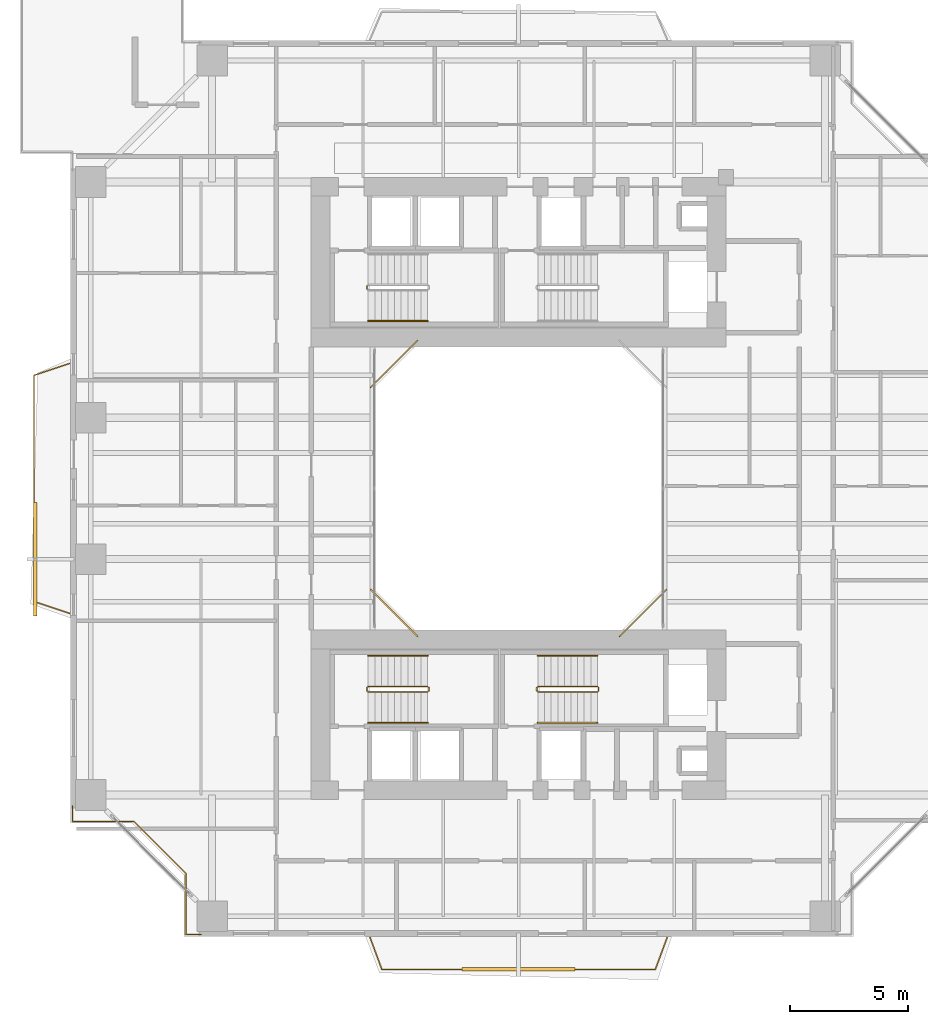
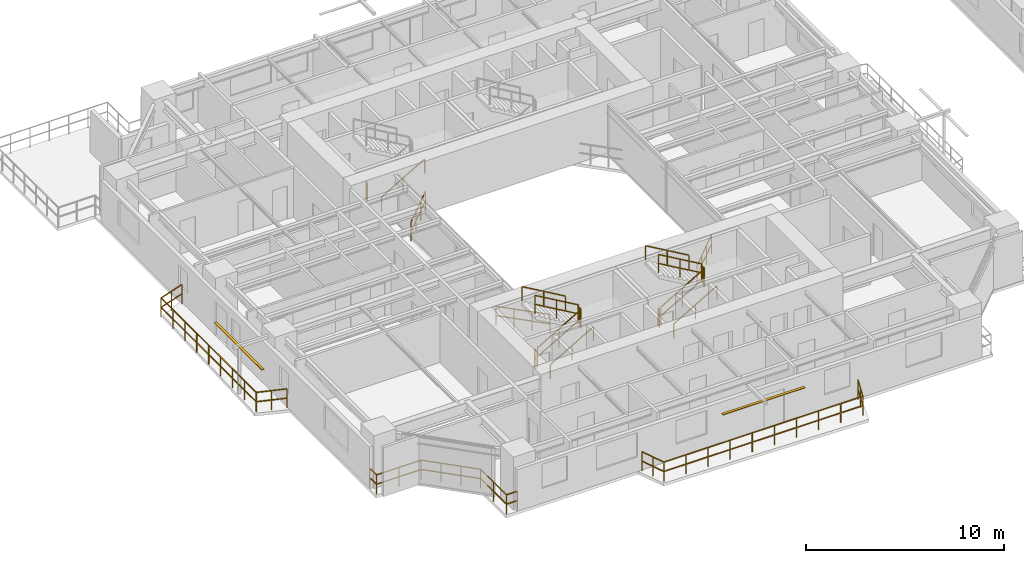
# One storey, part 20 of 24: 20 railings, 2 shading devices.
"""IFC4 building model written with IfcOpenShell, lengths in metres."""

from ifc_helpers import new_model, si_unit, direction, frame, origin, origin_2d, place, context, subcontext, project, spatial, rectangle, extrude, source, transform, mapped, material, material_profile, profile_set, type_object, element, save


model = new_model("IFC4")

# Units and contexts
model_context = context("Model", 3, precision=1e-05, world=origin(), true_north=direction((0.0, 1.0)))
body_context = subcontext(model_context, "Body", "Model", "MODEL_VIEW")
ifc_project = project(units=[si_unit("LENGTHUNIT", "METRE"), si_unit("AREAUNIT", "SQUARE_METRE"), si_unit("VOLUMEUNIT", "CUBIC_METRE"), si_unit("PLANEANGLEUNIT", "RADIAN"), si_unit("MASSUNIT", "GRAM", prefix="KILO"), si_unit("THERMODYNAMICTEMPERATUREUNIT", "KELVIN"), si_unit("POWERUNIT", "WATT")], contexts=[model_context])

# Site, building, storey
site_placement = place(None, origin())
site = spatial("IfcSite", under=ifc_project, at=site_placement, CompositionType="ELEMENT")
building_placement = place(site_placement, origin())
building = spatial("IfcBuilding", under=site, at=building_placement, Name="Qiaomeng Ring Towers", CompositionType="ELEMENT")
storey_placement = place(building_placement, frame((0.0, 0.0, 42.5)))
storey = spatial("IfcBuildingStorey", under=building, at=storey_placement, Name="L11", CompositionType="ELEMENT", Elevation=42.5)

# Railings
ifc_material_1 = material(Name="Low-E pale-green laminated safety glass", Category="glass")
railing_type_1 = type_object("IfcRailingType", Name="ARC-RL-BAL1", PredefinedType="BALUSTRADE", material=ifc_material_1)
railing_1_placement = place(storey_placement, frame((23.280029296875, 16.719970703125, 0.0)))
element("IfcRailing", 1, at=railing_1_placement, inside=storey, type_object=railing_type_1, Name="L11 Balustrade ARC-BAL-WELL1-L11-1", PredefinedType="BALUSTRADE", context=body_context, shape_type="SweptSolid", body=[
    extrude(rectangle(XDim=0.048095703125, YDim=0.048095703125, at=origin_2d()), frame((0.0, 0.0, 1.17578125), z_axis=(0.707106781187, 0.707106781187, 0.0), x_axis=(-0.707106781187, 0.707106781187, 0.0)), (0.0, 0.0, 1.0), 2.828369140625),
    extrude(rectangle(XDim=0.048095703125, YDim=0.048095703125, at=origin_2d()), frame((0.0, 0.0, 0.60009765625), z_axis=(0.707106781187, 0.707106781187, 0.0), x_axis=(-0.707106781187, 0.707106781187, 0.0)), (0.0, 0.0, 1.0), 2.828369140625),
    extrude(rectangle(XDim=0.0419921875, YDim=0.0419921875, at=origin_2d()), origin(), (0.0, 0.0, 1.0), 1.15185546875),
    extrude(rectangle(XDim=0.0419921875, YDim=0.0419921875, at=origin_2d()), frame((0.666748046875, 0.666748046875, 0.0)), (0.0, 0.0, 1.0), 1.15185546875),
    extrude(rectangle(XDim=0.0419921875, YDim=0.0419921875, at=origin_2d()), frame((1.333251953125, 1.333251953125, 0.0)), (0.0, 0.0, 1.0), 1.15185546875),
    extrude(rectangle(XDim=0.0419921875, YDim=0.0419921875, at=origin_2d()), frame((2.0, 2.0, 0.0)), (0.0, 0.0, 1.0), 1.15185546875),
])
railing_2_placement = place(storey_placement, frame((14.719970703125, 29.280029296875, 0.0)))
element("IfcRailing", 2, at=railing_2_placement, inside=storey, type_object=railing_type_1, Name="L11 Balustrade ARC-BAL-WELL1-L11-3", PredefinedType="BALUSTRADE", context=body_context, shape_type="SweptSolid", body=[
    extrude(rectangle(XDim=0.048095703125, YDim=0.048095703125, at=origin_2d()), frame((0.0, 0.0, 1.17578125), z_axis=(-0.707106781187, -0.707106781187, 0.0), x_axis=(0.707106781187, -0.707106781187, 0.0)), (0.0, 0.0, 1.0), 2.828369140625),
    extrude(rectangle(XDim=0.048095703125, YDim=0.048095703125, at=origin_2d()), frame((0.0, 0.0, 0.60009765625), z_axis=(-0.707106781187, -0.707106781187, 0.0), x_axis=(0.707106781187, -0.707106781187, 0.0)), (0.0, 0.0, 1.0), 2.828369140625),
    extrude(rectangle(XDim=0.0419921875, YDim=0.0419921875, at=origin_2d()), origin(), (0.0, 0.0, 1.0), 1.15185546875),
    extrude(rectangle(XDim=0.0419921875, YDim=0.0419921875, at=origin_2d()), frame((-0.666748046875, -0.666748046875, 0.0)), (0.0, 0.0, 1.0), 1.15185546875),
    extrude(rectangle(XDim=0.0419921875, YDim=0.0419921875, at=origin_2d()), frame((-1.333251953125, -1.333251953125, 0.0)), (0.0, 0.0, 1.0), 1.15185546875),
    extrude(rectangle(XDim=0.0419921875, YDim=0.0419921875, at=origin_2d()), frame((-2.0, -2.0, 0.0)), (0.0, 0.0, 1.0), 1.15185546875),
])
railing_3_placement = place(storey_placement, frame((12.719970703125, 18.719970703125, 0.0)))
element("IfcRailing", 3, at=railing_3_placement, inside=storey, type_object=railing_type_1, Name="L11 Balustrade ARC-BAL-WELL1-L11-4", PredefinedType="BALUSTRADE", context=body_context, shape_type="SweptSolid", body=[
    extrude(rectangle(XDim=0.048095703125, YDim=0.048095703125, at=origin_2d()), frame((0.0, 0.0, 1.17578125), z_axis=(0.707106781187, -0.707106781187, 0.0), x_axis=(0.707106781187, 0.707106781187, 0.0)), (0.0, 0.0, 1.0), 2.828369140625),
    extrude(rectangle(XDim=0.048095703125, YDim=0.048095703125, at=origin_2d()), frame((0.0, 0.0, 0.60009765625), z_axis=(0.707106781187, -0.707106781187, 0.0), x_axis=(0.707106781187, 0.707106781187, 0.0)), (0.0, 0.0, 1.0), 2.828369140625),
    extrude(rectangle(XDim=0.0419921875, YDim=0.0419921875, at=origin_2d()), origin(), (0.0, 0.0, 1.0), 1.15185546875),
    extrude(rectangle(XDim=0.0419921875, YDim=0.0419921875, at=origin_2d()), frame((0.666748046875, -0.666748046875, 0.0)), (0.0, 0.0, 1.0), 1.15185546875),
    extrude(rectangle(XDim=0.0419921875, YDim=0.0419921875, at=origin_2d()), frame((1.333251953125, -1.333251953125, 0.0)), (0.0, 0.0, 1.0), 1.15185546875),
    extrude(rectangle(XDim=0.0419921875, YDim=0.0419921875, at=origin_2d()), frame((2.0, -2.0, 0.0)), (0.0, 0.0, 1.0), 1.15185546875),
])
railing_4_placement = place(storey_placement, frame((0.080078125, 9.530029296875, 0.0)))
element("IfcRailing", 4, at=railing_4_placement, inside=storey, type_object=railing_type_1, Name="L11 Balustrade ARC-BAL-NOTCH1-L11-SW", PredefinedType="BALUSTRADE", context=body_context, shape_type="SweptSolid", body=[
    extrude(rectangle(XDim=0.048095703125, YDim=0.048095703125, at=origin_2d()), frame((0.0, 0.0, 1.17578125), z_axis=(0.0, -1.0, 0.0), x_axis=(1.0, 0.0, 0.0)), (0.0, 0.0, 1.0), 0.650146484375),
    extrude(rectangle(XDim=0.048095703125, YDim=0.048095703125, at=origin_2d()), frame((0.0, 0.0, 0.60009765625), z_axis=(0.0, -1.0, 0.0), x_axis=(1.0, 0.0, 0.0)), (0.0, 0.0, 1.0), 0.650146484375),
    extrude(rectangle(XDim=0.048095703125, YDim=0.048095703125, at=origin_2d()), frame((0.0, -0.650146484375, 1.17578125), z_axis=(1.0, 0.0, 0.0), x_axis=(0.0, 1.0, 0.0)), (0.0, 0.0, 1.0), 2.599853515625),
    extrude(rectangle(XDim=0.048095703125, YDim=0.048095703125, at=origin_2d()), frame((0.0, -0.650146484375, 0.60009765625), z_axis=(1.0, 0.0, 0.0), x_axis=(0.0, 1.0, 0.0)), (0.0, 0.0, 1.0), 2.599853515625),
    extrude(rectangle(XDim=0.048095703125, YDim=0.048095703125, at=origin_2d()), frame((2.599853515625, -0.650146484375, 1.17578125), z_axis=(0.707106781187, -0.707106781187, 0.0), x_axis=(0.707106781187, 0.707106781187, 0.0)), (0.0, 0.0, 1.0), 3.111083984375),
    extrude(rectangle(XDim=0.048095703125, YDim=0.048095703125, at=origin_2d()), frame((2.599853515625, -0.650146484375, 0.60009765625), z_axis=(0.707106781187, -0.707106781187, 0.0), x_axis=(0.707106781187, 0.707106781187, 0.0)), (0.0, 0.0, 1.0), 3.111083984375),
    extrude(rectangle(XDim=0.048095703125, YDim=0.048095703125, at=origin_2d()), frame((4.7998046875, -2.85009765625, 1.17578125), z_axis=(0.0, -1.0, 0.0), x_axis=(1.0, 0.0, 0.0)), (0.0, 0.0, 1.0), 2.599853515625),
    extrude(rectangle(XDim=0.048095703125, YDim=0.048095703125, at=origin_2d()), frame((4.7998046875, -2.85009765625, 0.60009765625), z_axis=(0.0, -1.0, 0.0), x_axis=(1.0, 0.0, 0.0)), (0.0, 0.0, 1.0), 2.599853515625),
    extrude(rectangle(XDim=0.048095703125, YDim=0.048095703125, at=origin_2d()), frame((4.7998046875, -5.449951171875, 1.17578125), z_axis=(1.0, 0.0, 0.0), x_axis=(0.0, 1.0, 0.0)), (0.0, 0.0, 1.0), 0.650146484375),
    extrude(rectangle(XDim=0.048095703125, YDim=0.048095703125, at=origin_2d()), frame((4.7998046875, -5.449951171875, 0.60009765625), z_axis=(1.0, 0.0, 0.0), x_axis=(0.0, 1.0, 0.0)), (0.0, 0.0, 1.0), 0.650146484375),
    extrude(rectangle(XDim=0.0419921875, YDim=0.0419921875, at=origin_2d()), origin(), (0.0, 0.0, 1.0), 1.15185546875),
    extrude(rectangle(XDim=0.0419921875, YDim=0.0419921875, at=origin_2d()), frame((0.0, -0.650146484375, 0.0)), (0.0, 0.0, 1.0), 1.15185546875),
    extrude(rectangle(XDim=0.0419921875, YDim=0.0419921875, at=origin_2d()), frame((1.2998046875, -0.650146484375, 0.0)), (0.0, 0.0, 1.0), 1.15185546875),
    extrude(rectangle(XDim=0.0419921875, YDim=0.0419921875, at=origin_2d()), frame((2.599853515625, -0.650146484375, 0.0)), (0.0, 0.0, 1.0), 1.15185546875),
    extrude(rectangle(XDim=0.0419921875, YDim=0.0419921875, at=origin_2d()), frame((3.333251953125, -1.383544921875, 0.0)), (0.0, 0.0, 1.0), 1.15185546875),
    extrude(rectangle(XDim=0.0419921875, YDim=0.0419921875, at=origin_2d()), frame((4.06640625, -2.11669921875, 0.0)), (0.0, 0.0, 1.0), 1.15185546875),
    extrude(rectangle(XDim=0.0419921875, YDim=0.0419921875, at=origin_2d()), frame((4.7998046875, -2.85009765625, 0.0)), (0.0, 0.0, 1.0), 1.15185546875),
    extrude(rectangle(XDim=0.0419921875, YDim=0.0419921875, at=origin_2d()), frame((4.7998046875, -4.14990234375, 0.0)), (0.0, 0.0, 1.0), 1.15185546875),
    extrude(rectangle(XDim=0.0419921875, YDim=0.0419921875, at=origin_2d()), frame((4.7998046875, -5.449951171875, 0.0)), (0.0, 0.0, 1.0), 1.15185546875),
    extrude(rectangle(XDim=0.0419921875, YDim=0.0419921875, at=origin_2d()), frame((5.449951171875, -5.449951171875, 0.0)), (0.0, 0.0, 1.0), 1.15185546875),
])
railing_5_placement = place(storey_placement, frame((12.699951171875, 3.949951171875, 0.0)))
element("IfcRailing", 5, at=railing_5_placement, inside=storey, type_object=railing_type_1, Name="L11 Balustrade ARC-BAL-L11-T1-S", PredefinedType="BALUSTRADE", context=body_context, shape_type="SweptSolid", body=[
    extrude(rectangle(XDim=0.048095703125, YDim=0.048095703125, at=origin_2d()), frame((0.0, 0.0, 1.17578125), z_axis=(0.347347498827, -0.937736484871, 0.0), x_axis=(0.937736484871, 0.347347498827, 0.0)), (0.0, 0.0, 1.0), 1.439453125),
    extrude(rectangle(XDim=0.048095703125, YDim=0.048095703125, at=origin_2d()), frame((0.0, 0.0, 0.60009765625), z_axis=(0.347347498827, -0.937736484871, 0.0), x_axis=(0.937736484871, 0.347347498827, 0.0)), (0.0, 0.0, 1.0), 1.439453125),
    extrude(rectangle(XDim=0.048095703125, YDim=0.048095703125, at=origin_2d()), frame((0.5, -1.349853515625, 1.17578125), z_axis=(1.0, 0.0, 0.0), x_axis=(0.0, 1.0, 0.0)), (0.0, 0.0, 1.0), 11.60009765625),
    extrude(rectangle(XDim=0.048095703125, YDim=0.048095703125, at=origin_2d()), frame((0.5, -1.349853515625, 0.60009765625), z_axis=(1.0, 0.0, 0.0), x_axis=(0.0, 1.0, 0.0)), (0.0, 0.0, 1.0), 11.60009765625),
    extrude(rectangle(XDim=0.048095703125, YDim=0.048095703125, at=origin_2d()), frame((12.10009765625, -1.349853515625, 1.17578125), z_axis=(0.347347498827, 0.937736484871, 0.0), x_axis=(-0.937736484871, 0.347347498827, 0.0)), (0.0, 0.0, 1.0), 1.439453125),
    extrude(rectangle(XDim=0.048095703125, YDim=0.048095703125, at=origin_2d()), frame((12.10009765625, -1.349853515625, 0.60009765625), z_axis=(0.347347498827, 0.937736484871, 0.0), x_axis=(-0.937736484871, 0.347347498827, 0.0)), (0.0, 0.0, 1.0), 1.439453125),
    extrude(rectangle(XDim=0.0419921875, YDim=0.0419921875, at=origin_2d()), origin(), (0.0, 0.0, 1.0), 1.15185546875),
    extrude(rectangle(XDim=0.0419921875, YDim=0.0419921875, at=origin_2d()), frame((0.25, -0.6748046875, 0.0)), (0.0, 0.0, 1.0), 1.15185546875),
    extrude(rectangle(XDim=0.0419921875, YDim=0.0419921875, at=origin_2d()), frame((0.5, -1.349853515625, 0.0)), (0.0, 0.0, 1.0), 1.15185546875),
    extrude(rectangle(XDim=0.0419921875, YDim=0.0419921875, at=origin_2d()), frame((1.788818359375, -1.349853515625, 0.0)), (0.0, 0.0, 1.0), 1.15185546875),
    extrude(rectangle(XDim=0.0419921875, YDim=0.0419921875, at=origin_2d()), frame((3.077880859375, -1.349853515625, 0.0)), (0.0, 0.0, 1.0), 1.15185546875),
    extrude(rectangle(XDim=0.0419921875, YDim=0.0419921875, at=origin_2d()), frame((4.36669921875, -1.349853515625, 0.0)), (0.0, 0.0, 1.0), 1.15185546875),
    extrude(rectangle(XDim=0.0419921875, YDim=0.0419921875, at=origin_2d()), frame((5.655517578125, -1.349853515625, 0.0)), (0.0, 0.0, 1.0), 1.15185546875),
    extrude(rectangle(XDim=0.0419921875, YDim=0.0419921875, at=origin_2d()), frame((6.944580078125, -1.349853515625, 0.0)), (0.0, 0.0, 1.0), 1.15185546875),
    extrude(rectangle(XDim=0.0419921875, YDim=0.0419921875, at=origin_2d()), frame((8.2333984375, -1.349853515625, 0.0)), (0.0, 0.0, 1.0), 1.15185546875),
    extrude(rectangle(XDim=0.0419921875, YDim=0.0419921875, at=origin_2d()), frame((9.522216796875, -1.349853515625, 0.0)), (0.0, 0.0, 1.0), 1.15185546875),
    extrude(rectangle(XDim=0.0419921875, YDim=0.0419921875, at=origin_2d()), frame((10.811279296875, -1.349853515625, 0.0)), (0.0, 0.0, 1.0), 1.15185546875),
    extrude(rectangle(XDim=0.0419921875, YDim=0.0419921875, at=origin_2d()), frame((12.10009765625, -1.349853515625, 0.0)), (0.0, 0.0, 1.0), 1.15185546875),
    extrude(rectangle(XDim=0.0419921875, YDim=0.0419921875, at=origin_2d()), frame((12.35009765625, -0.6748046875, 0.0)), (0.0, 0.0, 1.0), 1.15185546875),
    extrude(rectangle(XDim=0.0419921875, YDim=0.0419921875, at=origin_2d()), frame((12.60009765625, 0.0, 0.0)), (0.0, 0.0, 1.0), 1.15185546875),
])
railing_6_placement = place(storey_placement, frame((-0.050048828125, 17.699951171875, 0.0)))
element("IfcRailing", 6, at=railing_6_placement, inside=storey, type_object=railing_type_1, Name="L11 Balustrade ARC-BAL-L11-T1-W", PredefinedType="BALUSTRADE", context=body_context, shape_type="SweptSolid", body=[
    extrude(rectangle(XDim=0.048095703125, YDim=0.048095703125, at=origin_2d()), frame((0.0, 0.0, 1.17578125), z_axis=(-0.948683298051, 0.316227766017, 0.0), x_axis=(-0.316227766017, -0.948683298051, 0.0)), (0.0, 0.0, 1.0), 1.5810546875),
    extrude(rectangle(XDim=0.048095703125, YDim=0.048095703125, at=origin_2d()), frame((0.0, 0.0, 0.60009765625), z_axis=(-0.948683298051, 0.316227766017, 0.0), x_axis=(-0.316227766017, -0.948683298051, 0.0)), (0.0, 0.0, 1.0), 1.5810546875),
    extrude(rectangle(XDim=0.048095703125, YDim=0.048095703125, at=origin_2d()), frame((-1.5, 0.5, 1.17578125), z_axis=(0.0, 1.0, 0.0), x_axis=(-1.0, 0.0, 0.0)), (0.0, 0.0, 1.0), 9.60009765625),
    extrude(rectangle(XDim=0.048095703125, YDim=0.048095703125, at=origin_2d()), frame((-1.5, 0.5, 0.60009765625), z_axis=(0.0, 1.0, 0.0), x_axis=(-1.0, 0.0, 0.0)), (0.0, 0.0, 1.0), 9.60009765625),
    extrude(rectangle(XDim=0.048095703125, YDim=0.048095703125, at=origin_2d()), frame((-1.5, 10.10009765625, 1.17578125), z_axis=(0.948683298051, 0.316227766017, 0.0), x_axis=(-0.316227766017, 0.948683298051, 0.0)), (0.0, 0.0, 1.0), 1.5810546875),
    extrude(rectangle(XDim=0.048095703125, YDim=0.048095703125, at=origin_2d()), frame((-1.5, 10.10009765625, 0.60009765625), z_axis=(0.948683298051, 0.316227766017, 0.0), x_axis=(-0.316227766017, 0.948683298051, 0.0)), (0.0, 0.0, 1.0), 1.5810546875),
    extrude(rectangle(XDim=0.0419921875, YDim=0.0419921875, at=origin_2d()), origin(), (0.0, 0.0, 1.0), 1.15185546875),
    extrude(rectangle(XDim=0.0419921875, YDim=0.0419921875, at=origin_2d()), frame((-0.75, 0.25, 0.0)), (0.0, 0.0, 1.0), 1.15185546875),
    extrude(rectangle(XDim=0.0419921875, YDim=0.0419921875, at=origin_2d()), frame((-1.5, 0.5, 0.0)), (0.0, 0.0, 1.0), 1.15185546875),
    extrude(rectangle(XDim=0.0419921875, YDim=0.0419921875, at=origin_2d()), frame((-1.5, 1.699951171875, 0.0)), (0.0, 0.0, 1.0), 1.15185546875),
    extrude(rectangle(XDim=0.0419921875, YDim=0.0419921875, at=origin_2d()), frame((-1.5, 2.89990234375, 0.0)), (0.0, 0.0, 1.0), 1.15185546875),
    extrude(rectangle(XDim=0.0419921875, YDim=0.0419921875, at=origin_2d()), frame((-1.5, 4.10009765625, 0.0)), (0.0, 0.0, 1.0), 1.15185546875),
    extrude(rectangle(XDim=0.0419921875, YDim=0.0419921875, at=origin_2d()), frame((-1.5, 5.300048828125, 0.0)), (0.0, 0.0, 1.0), 1.15185546875),
    extrude(rectangle(XDim=0.0419921875, YDim=0.0419921875, at=origin_2d()), frame((-1.5, 6.5, 0.0)), (0.0, 0.0, 1.0), 1.15185546875),
    extrude(rectangle(XDim=0.0419921875, YDim=0.0419921875, at=origin_2d()), frame((-1.5, 7.7001953125, 0.0)), (0.0, 0.0, 1.0), 1.15185546875),
    extrude(rectangle(XDim=0.0419921875, YDim=0.0419921875, at=origin_2d()), frame((-1.5, 8.900146484375, 0.0)), (0.0, 0.0, 1.0), 1.15185546875),
    extrude(rectangle(XDim=0.0419921875, YDim=0.0419921875, at=origin_2d()), frame((-1.5, 10.10009765625, 0.0)), (0.0, 0.0, 1.0), 1.15185546875),
    extrude(rectangle(XDim=0.0419921875, YDim=0.0419921875, at=origin_2d()), frame((-0.75, 10.35009765625, 0.0)), (0.0, 0.0, 1.0), 1.15185546875),
    extrude(rectangle(XDim=0.0419921875, YDim=0.0419921875, at=origin_2d()), frame((0.0, 10.60009765625, 0.0)), (0.0, 0.0, 1.0), 1.15185546875),
])
ifc_material_2 = material(Name="Galvanised steel", Category="steel")
railing_type_2 = type_object("IfcRailingType", Name="ARC-RL-GUARD", PredefinedType="GUARDRAIL", material=ifc_material_2)
railing_7_placement = place(storey_placement, frame((12.570068359375, 31.449951171875, 0.0)))
element("IfcRailing", 7, at=railing_7_placement, inside=storey, type_object=railing_type_2, Name="L11 ST1 stair guard 4", PredefinedType="GUARDRAIL", context=body_context, shape_type="SweptSolid", body=[
    extrude(rectangle(XDim=0.048095703125, YDim=0.048095703125, at=origin_2d()), frame((0.0, 0.0, 1.1259765625), z_axis=(0.0, 1.0, 0.0), x_axis=(-1.0, 0.0, 0.0)), (0.0, 0.0, 1.0), 0.14013671875),
    extrude(rectangle(XDim=0.048095703125, YDim=0.048095703125, at=origin_2d()), frame((0.0, 0.0, 0.574951171875), z_axis=(0.0, 1.0, 0.0), x_axis=(-1.0, 0.0, 0.0)), (0.0, 0.0, 1.0), 0.14013671875),
    extrude(rectangle(XDim=0.0419921875, YDim=0.0419921875, at=origin_2d()), origin(), (0.0, 0.0, 1.0), 1.101806640625),
    extrude(rectangle(XDim=0.0419921875, YDim=0.0419921875, at=origin_2d()), frame((0.0, 0.14013671875, 0.0)), (0.0, 0.0, 1.0), 1.101806640625),
])
railing_8_placement = place(storey_placement, frame((12.6201171875, 14.360107421875, 0.16259765625)))
element("IfcRailing", 8, at=railing_8_placement, inside=storey, type_object=railing_type_2, Name="L11 ST3 stair guard 1", PredefinedType="GUARDRAIL", context=body_context, shape_type="SweptSolid", body=[
    extrude(rectangle(XDim=0.048095703125, YDim=0.048095703125, at=origin_2d()), frame((0.0, 0.0, 1.1259765625), z_axis=(0.864892226395, 0.0, 0.501957604506), x_axis=(0.0, 1.0, 0.0)), (0.0, 0.0, 1.0), 2.913330078125),
    extrude(rectangle(XDim=0.048095703125, YDim=0.048095703125, at=origin_2d()), frame((0.0, 0.0, 0.574951171875), z_axis=(0.864892226395, 0.0, 0.501957604506), x_axis=(0.0, 1.0, 0.0)), (0.0, 0.0, 1.0), 2.913330078125),
    extrude(rectangle(XDim=0.0419921875, YDim=0.0419921875, at=origin_2d()), origin(), (0.0, 0.0, 1.0), 1.101806640625),
    extrude(rectangle(XDim=0.0419921875, YDim=0.0419921875, at=origin_2d()), frame((1.259765625, 0.0, 0.731201171875)), (0.0, 0.0, 1.0), 1.101806640625),
    extrude(rectangle(XDim=0.0419921875, YDim=0.0419921875, at=origin_2d()), frame((2.519775390625, 0.0, 1.46240234375)), (0.0, 0.0, 1.0), 1.101806640625),
])
railing_9_placement = place(storey_placement, frame((15.18994140625, 14.409912109375, 1.625)))
element("IfcRailing", 9, at=railing_9_placement, inside=storey, type_object=railing_type_2, Name="L11 ST3 stair guard 2", PredefinedType="GUARDRAIL", context=body_context, shape_type="SweptSolid", body=[
    extrude(rectangle(XDim=0.048095703125, YDim=0.048095703125, at=origin_2d()), frame((0.0, 0.0, 1.1259765625), z_axis=(0.0, 1.0, 0.0), x_axis=(-1.0, 0.0, 0.0)), (0.0, 0.0, 1.0), 0.14013671875),
    extrude(rectangle(XDim=0.048095703125, YDim=0.048095703125, at=origin_2d()), frame((0.0, 0.0, 0.574951171875), z_axis=(0.0, 1.0, 0.0), x_axis=(-1.0, 0.0, 0.0)), (0.0, 0.0, 1.0), 0.14013671875),
    extrude(rectangle(XDim=0.0419921875, YDim=0.0419921875, at=origin_2d()), origin(), (0.0, 0.0, 1.0), 1.101806640625),
    extrude(rectangle(XDim=0.0419921875, YDim=0.0419921875, at=origin_2d()), frame((0.0, 0.14013671875, 0.0)), (0.0, 0.0, 1.0), 1.101806640625),
])
railing_10_placement = place(storey_placement, frame((15.139892578125, 14.60009765625, 1.78759765625)))
element("IfcRailing", 10, at=railing_10_placement, inside=storey, type_object=railing_type_2, Name="L11 ST3 stair guard 3", PredefinedType="GUARDRAIL", context=body_context, shape_type="SweptSolid", body=[
    extrude(rectangle(XDim=0.048095703125, YDim=0.048095703125, at=origin_2d()), frame((0.0, 0.0, 1.1259765625), z_axis=(-0.864892226395, 0.0, 0.501957604506), x_axis=(0.0, -1.0, 0.0)), (0.0, 0.0, 1.0), 2.913330078125),
    extrude(rectangle(XDim=0.048095703125, YDim=0.048095703125, at=origin_2d()), frame((0.0, 0.0, 0.574951171875), z_axis=(-0.864892226395, 0.0, 0.501957604506), x_axis=(0.0, -1.0, 0.0)), (0.0, 0.0, 1.0), 2.913330078125),
    extrude(rectangle(XDim=0.0419921875, YDim=0.0419921875, at=origin_2d()), origin(), (0.0, 0.0, 1.0), 1.101806640625),
    extrude(rectangle(XDim=0.0419921875, YDim=0.0419921875, at=origin_2d()), frame((-1.259765625, 0.0, 0.731201171875)), (0.0, 0.0, 1.0), 1.101806640625),
    extrude(rectangle(XDim=0.0419921875, YDim=0.0419921875, at=origin_2d()), frame((-2.519775390625, 0.0, 1.46240234375)), (0.0, 0.0, 1.0), 1.101806640625),
])
railing_11_placement = place(storey_placement, frame((12.570068359375, 14.409912109375, 0.0)))
element("IfcRailing", 11, at=railing_11_placement, inside=storey, type_object=railing_type_2, Name="L11 ST3 stair guard 4", PredefinedType="GUARDRAIL", context=body_context, shape_type="SweptSolid", body=[
    extrude(rectangle(XDim=0.048095703125, YDim=0.048095703125, at=origin_2d()), frame((0.0, 0.0, 1.1259765625), z_axis=(0.0, 1.0, 0.0), x_axis=(-1.0, 0.0, 0.0)), (0.0, 0.0, 1.0), 0.14013671875),
    extrude(rectangle(XDim=0.048095703125, YDim=0.048095703125, at=origin_2d()), frame((0.0, 0.0, 0.574951171875), z_axis=(0.0, 1.0, 0.0), x_axis=(-1.0, 0.0, 0.0)), (0.0, 0.0, 1.0), 0.14013671875),
    extrude(rectangle(XDim=0.0419921875, YDim=0.0419921875, at=origin_2d()), origin(), (0.0, 0.0, 1.0), 1.101806640625),
    extrude(rectangle(XDim=0.0419921875, YDim=0.0419921875, at=origin_2d()), frame((0.0, 0.14013671875, 0.0)), (0.0, 0.0, 1.0), 1.101806640625),
])
railing_12_placement = place(storey_placement, frame((19.820068359375, 14.360107421875, 0.16259765625)))
element("IfcRailing", 12, at=railing_12_placement, inside=storey, type_object=railing_type_2, Name="L11 ST4 stair guard 1", PredefinedType="GUARDRAIL", context=body_context, shape_type="SweptSolid", body=[
    extrude(rectangle(XDim=0.048095703125, YDim=0.048095703125, at=origin_2d()), frame((0.0, 0.0, 1.1259765625), z_axis=(0.864913338283, 0.0, 0.50192122615), x_axis=(0.0, 1.0, 0.0)), (0.0, 0.0, 1.0), 2.91357421875),
    extrude(rectangle(XDim=0.048095703125, YDim=0.048095703125, at=origin_2d()), frame((0.0, 0.0, 0.574951171875), z_axis=(0.864913338283, 0.0, 0.50192122615), x_axis=(0.0, 1.0, 0.0)), (0.0, 0.0, 1.0), 2.91357421875),
    extrude(rectangle(XDim=0.0419921875, YDim=0.0419921875, at=origin_2d()), origin(), (0.0, 0.0, 1.0), 1.101806640625),
    extrude(rectangle(XDim=0.0419921875, YDim=0.0419921875, at=origin_2d()), frame((1.260009765625, 0.0, 0.731201171875)), (0.0, 0.0, 1.0), 1.101806640625),
    extrude(rectangle(XDim=0.0419921875, YDim=0.0419921875, at=origin_2d()), frame((2.52001953125, 0.0, 1.46240234375)), (0.0, 0.0, 1.0), 1.101806640625),
])
railing_13_placement = place(storey_placement, frame((22.389892578125, 14.409912109375, 1.625)))
element("IfcRailing", 13, at=railing_13_placement, inside=storey, type_object=railing_type_2, Name="L11 ST4 stair guard 2", PredefinedType="GUARDRAIL", context=body_context, shape_type="SweptSolid", body=[
    extrude(rectangle(XDim=0.048095703125, YDim=0.048095703125, at=origin_2d()), frame((0.0, 0.0, 1.1259765625), z_axis=(0.0, 1.0, 0.0), x_axis=(-1.0, 0.0, 0.0)), (0.0, 0.0, 1.0), 0.14013671875),
    extrude(rectangle(XDim=0.048095703125, YDim=0.048095703125, at=origin_2d()), frame((0.0, 0.0, 0.574951171875), z_axis=(0.0, 1.0, 0.0), x_axis=(-1.0, 0.0, 0.0)), (0.0, 0.0, 1.0), 0.14013671875),
    extrude(rectangle(XDim=0.0419921875, YDim=0.0419921875, at=origin_2d()), origin(), (0.0, 0.0, 1.0), 1.101806640625),
    extrude(rectangle(XDim=0.0419921875, YDim=0.0419921875, at=origin_2d()), frame((0.0, 0.14013671875, 0.0)), (0.0, 0.0, 1.0), 1.101806640625),
])
railing_14_placement = place(storey_placement, frame((22.340087890625, 14.60009765625, 1.78759765625)))
element("IfcRailing", 14, at=railing_14_placement, inside=storey, type_object=railing_type_2, Name="L11 ST4 stair guard 3", PredefinedType="GUARDRAIL", context=body_context, shape_type="SweptSolid", body=[
    extrude(rectangle(XDim=0.048095703125, YDim=0.048095703125, at=origin_2d()), frame((0.0, 0.0, 1.1259765625), z_axis=(-0.864913338283, 0.0, 0.50192122615), x_axis=(0.0, -1.0, 0.0)), (0.0, 0.0, 1.0), 2.91357421875),
    extrude(rectangle(XDim=0.048095703125, YDim=0.048095703125, at=origin_2d()), frame((0.0, 0.0, 0.574951171875), z_axis=(-0.864913338283, 0.0, 0.50192122615), x_axis=(0.0, -1.0, 0.0)), (0.0, 0.0, 1.0), 2.91357421875),
    extrude(rectangle(XDim=0.0419921875, YDim=0.0419921875, at=origin_2d()), origin(), (0.0, 0.0, 1.0), 1.101806640625),
    extrude(rectangle(XDim=0.0419921875, YDim=0.0419921875, at=origin_2d()), frame((-1.260009765625, 0.0, 0.731201171875)), (0.0, 0.0, 1.0), 1.101806640625),
    extrude(rectangle(XDim=0.0419921875, YDim=0.0419921875, at=origin_2d()), frame((-2.52001953125, 0.0, 1.46240234375)), (0.0, 0.0, 1.0), 1.101806640625),
])
railing_15_placement = place(storey_placement, frame((19.77001953125, 14.409912109375, 0.0)))
element("IfcRailing", 15, at=railing_15_placement, inside=storey, type_object=railing_type_2, Name="L11 ST4 stair guard 4", PredefinedType="GUARDRAIL", context=body_context, shape_type="SweptSolid", body=[
    extrude(rectangle(XDim=0.048095703125, YDim=0.048095703125, at=origin_2d()), frame((0.0, 0.0, 1.1259765625), z_axis=(0.0, 1.0, 0.0), x_axis=(-1.0, 0.0, 0.0)), (0.0, 0.0, 1.0), 0.14013671875),
    extrude(rectangle(XDim=0.048095703125, YDim=0.048095703125, at=origin_2d()), frame((0.0, 0.0, 0.574951171875), z_axis=(0.0, 1.0, 0.0), x_axis=(-1.0, 0.0, 0.0)), (0.0, 0.0, 1.0), 0.14013671875),
    extrude(rectangle(XDim=0.0419921875, YDim=0.0419921875, at=origin_2d()), origin(), (0.0, 0.0, 1.0), 1.101806640625),
    extrude(rectangle(XDim=0.0419921875, YDim=0.0419921875, at=origin_2d()), frame((0.0, 0.14013671875, 0.0)), (0.0, 0.0, 1.0), 1.101806640625),
])
ifc_material_3 = material(Name="Stainless steel 316", Category="steel")
railing_type_3 = type_object("IfcRailingType", Name="ARC-RL-HAND", PredefinedType="HANDRAIL", material=ifc_material_3)
for number, where, name in (
    (16, (12.6201171875, 30.10009765625, 0.16259765625), "L11 ST1 stair handrail 1"),
    (17, (12.6201171875, 13.06005859375, 0.16259765625), "L11 ST3 stair handrail 1"),
):
    element("IfcRailing", number, at=place(storey_placement, frame(where)), inside=storey, type_object=railing_type_3, Name=name, PredefinedType="HANDRAIL", context=body_context, shape_type="SweptSolid", body=[
        extrude(rectangle(XDim=0.048095703125, YDim=0.048095703125, at=origin_2d()), frame((0.0, 0.0, 0.8759765625), z_axis=(0.864892226395, 0.0, 0.501957604506), x_axis=(0.0, 1.0, 0.0)), (0.0, 0.0, 1.0), 2.913330078125),
        extrude(rectangle(XDim=0.0419921875, YDim=0.0419921875, at=origin_2d()), origin(), (0.0, 0.0, 1.0), 0.851806640625),
        extrude(rectangle(XDim=0.0419921875, YDim=0.0419921875, at=origin_2d()), frame((1.259765625, 0.0, 0.731201171875)), (0.0, 0.0, 1.0), 0.851806640625),
        extrude(rectangle(XDim=0.0419921875, YDim=0.0419921875, at=origin_2d()), frame((2.519775390625, 0.0, 1.46240234375)), (0.0, 0.0, 1.0), 0.851806640625),
    ])
railing_16_placement = place(storey_placement, frame((15.139892578125, 15.89990234375, 1.78759765625)))
element("IfcRailing", 18, at=railing_16_placement, inside=storey, type_object=railing_type_3, Name="L11 ST3 stair handrail 2", PredefinedType="HANDRAIL", context=body_context, shape_type="SweptSolid", body=[
    extrude(rectangle(XDim=0.048095703125, YDim=0.048095703125, at=origin_2d()), frame((0.0, 0.0, 0.8759765625), z_axis=(-0.864892226395, 0.0, 0.501957604506), x_axis=(0.0, -1.0, 0.0)), (0.0, 0.0, 1.0), 2.913330078125),
    extrude(rectangle(XDim=0.0419921875, YDim=0.0419921875, at=origin_2d()), origin(), (0.0, 0.0, 1.0), 0.851806640625),
    extrude(rectangle(XDim=0.0419921875, YDim=0.0419921875, at=origin_2d()), frame((-1.259765625, 0.0, 0.731201171875)), (0.0, 0.0, 1.0), 0.851806640625),
    extrude(rectangle(XDim=0.0419921875, YDim=0.0419921875, at=origin_2d()), frame((-2.519775390625, 0.0, 1.46240234375)), (0.0, 0.0, 1.0), 0.851806640625),
])
railing_17_placement = place(storey_placement, frame((19.820068359375, 13.06005859375, 0.16259765625)))
element("IfcRailing", 19, at=railing_17_placement, inside=storey, type_object=railing_type_3, Name="L11 ST4 stair handrail 1", PredefinedType="HANDRAIL", context=body_context, shape_type="SweptSolid", body=[
    extrude(rectangle(XDim=0.048095703125, YDim=0.048095703125, at=origin_2d()), frame((0.0, 0.0, 0.8759765625), z_axis=(0.864913338283, 0.0, 0.50192122615), x_axis=(0.0, 1.0, 0.0)), (0.0, 0.0, 1.0), 2.91357421875),
    extrude(rectangle(XDim=0.0419921875, YDim=0.0419921875, at=origin_2d()), origin(), (0.0, 0.0, 1.0), 0.851806640625),
    extrude(rectangle(XDim=0.0419921875, YDim=0.0419921875, at=origin_2d()), frame((1.260009765625, 0.0, 0.731201171875)), (0.0, 0.0, 1.0), 0.851806640625),
    extrude(rectangle(XDim=0.0419921875, YDim=0.0419921875, at=origin_2d()), frame((2.52001953125, 0.0, 1.46240234375)), (0.0, 0.0, 1.0), 0.851806640625),
])
railing_18_placement = place(storey_placement, frame((22.340087890625, 15.89990234375, 1.78759765625)))
element("IfcRailing", 20, at=railing_18_placement, inside=storey, type_object=railing_type_3, Name="L11 ST4 stair handrail 2", PredefinedType="HANDRAIL", context=body_context, shape_type="SweptSolid", body=[
    extrude(rectangle(XDim=0.048095703125, YDim=0.048095703125, at=origin_2d()), frame((0.0, 0.0, 0.8759765625), z_axis=(-0.864913338283, 0.0, 0.50192122615), x_axis=(0.0, -1.0, 0.0)), (0.0, 0.0, 1.0), 2.91357421875),
    extrude(rectangle(XDim=0.0419921875, YDim=0.0419921875, at=origin_2d()), origin(), (0.0, 0.0, 1.0), 0.851806640625),
    extrude(rectangle(XDim=0.0419921875, YDim=0.0419921875, at=origin_2d()), frame((-1.260009765625, 0.0, 0.731201171875)), (0.0, 0.0, 1.0), 0.851806640625),
    extrude(rectangle(XDim=0.0419921875, YDim=0.0419921875, at=origin_2d()), frame((-2.52001953125, 0.0, 1.46240234375)), (0.0, 0.0, 1.0), 0.851806640625),
])

# Shading devices
ifc_material_4 = material(Name="Fluorocarbon dark-grey aluminium", Category="aluminium")
ifc_material_profile = material_profile(ifc_material_4, rectangle(XDim=0.14990234375, YDim=0.034912109375, at=origin_2d()), Name="LV BLADE 150x35")
ifc_profile_set = profile_set([ifc_material_profile], Name="Fluorocarbon dark-grey aluminium")
shading_device_type = type_object("IfcShadingDeviceType", Name="ARC-SHD-SUN", PredefinedType="AWNING", material=ifc_profile_set)
shared_shape = source(origin(), body_context, "Body", "SweptSolid", [
    extrude(rectangle(XDim=0.14990234375, YDim=0.034912109375, at=origin_2d()), origin(), (0.0, 0.0, 1.0), 4.7998046875),
])
for number, where, z_axis, x_axis, name in (
    (21, (16.60009765625, 2.60009765625, 2.929931640625), (1.0, 0.0, 0.0), (0.0, 1.0, 0.0), "L11 Ventilated Outer-Skin Sunshade S"),
    (22, (-1.5, 17.60009765625, 2.929931640625), (0.0, 1.0, 0.0), (-1.0, 0.0, 0.0), "L11 Ventilated Outer-Skin Sunshade W"),
):
    element("IfcShadingDevice", number, at=place(storey_placement, frame(where, z_axis=z_axis, x_axis=x_axis)), inside=storey, type_object=shading_device_type, Name=name, PredefinedType="AWNING", context=body_context, shape_type="MappedRepresentation", body=[
        mapped(shared_shape, transform((0.0, 0.0, 0.0), x_axis=(1.0, 0.0, 0.0), y_axis=(0.0, 1.0, 0.0), z_axis=(0.0, 0.0, 1.0), scale=1.0)),
    ])

save(model, "model.ifc")
